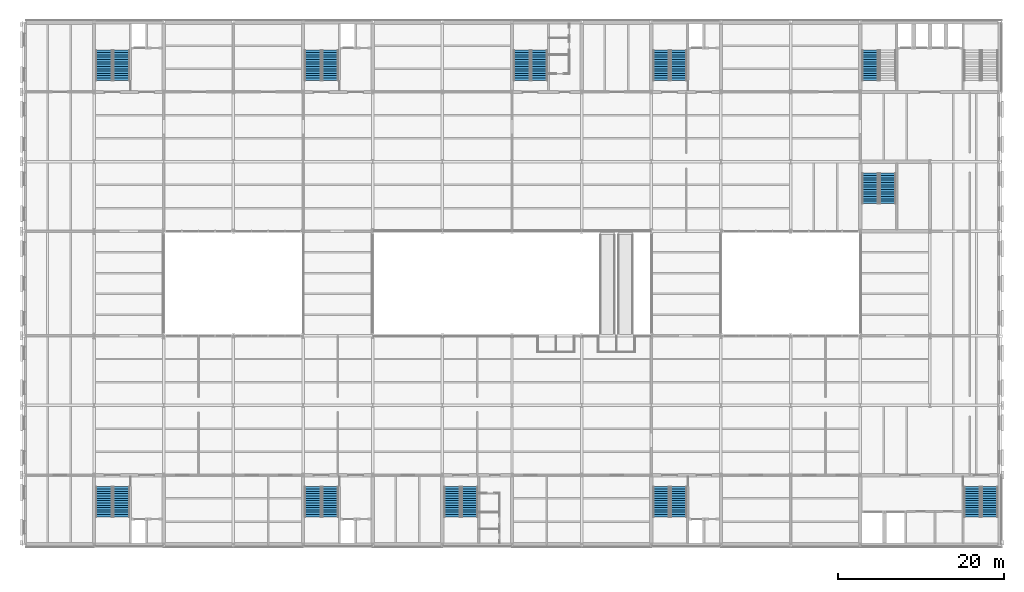
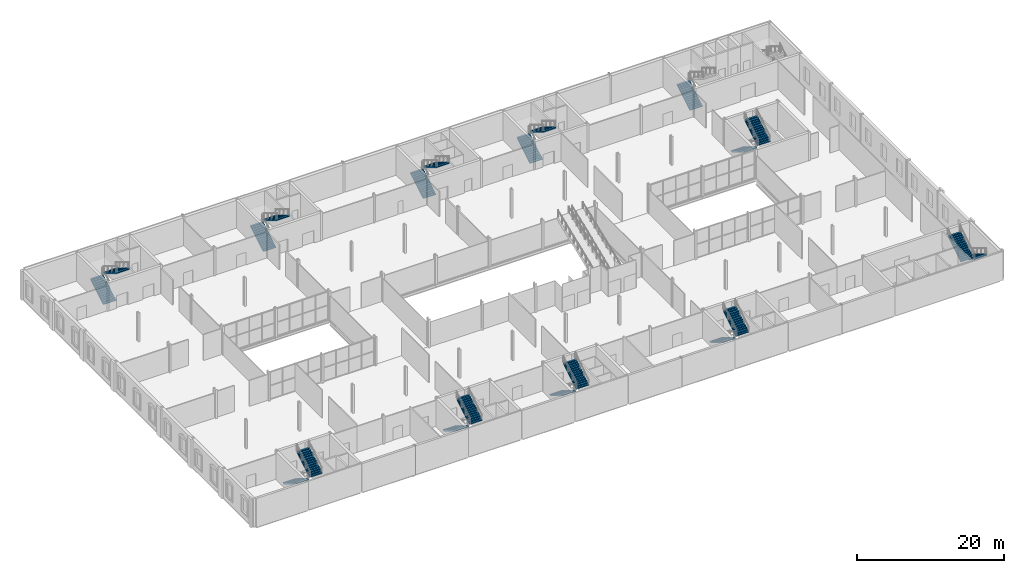
# One storey, part 35 of 57: 21 stair flights, 11 elements without a shape of their own.
"""IFC4 building model written with IfcOpenShell, lengths in metres."""

from ifc_helpers import new_model, si_unit, direction, frame, origin, place, context, subcontext, project, spatial, polyline, outline, extrude, material, type_object, element, aggregate, save


model = new_model("IFC4")

# Units and contexts
model_context = context("Model", 3, precision=1e-05, world=origin(), true_north=direction((0.0, 1.0)))
body_context = subcontext(model_context, "Body", "Model", "MODEL_VIEW")
ifc_project = project(units=[si_unit("LENGTHUNIT", "METRE"), si_unit("AREAUNIT", "SQUARE_METRE"), si_unit("VOLUMEUNIT", "CUBIC_METRE"), si_unit("PLANEANGLEUNIT", "RADIAN"), si_unit("MASSUNIT", "GRAM", prefix="KILO")], contexts=[model_context])

# Site, building, storey
site_placement = place(None, origin())
site = spatial("IfcSite", under=ifc_project, at=site_placement, CompositionType="ELEMENT")
building_placement = place(site_placement, origin())
building = spatial("IfcBuilding", under=site, at=building_placement, Name="Galleria Vessillo Department Store", CompositionType="ELEMENT")
storey_placement = place(building_placement, frame((0.0, 0.0, 21.0)))
storey = spatial("IfcBuildingStorey", under=building, at=storey_placement, Name="L04", CompositionType="ELEMENT", Elevation=21.0)

# Stair, stair flights
ifc_material_1 = material(Name="Concrete C32/40", Category="concrete")
stair_type = type_object("IfcStairType", Name="Half-turn escape stair 2000 mm, 28 risers of 171 mm", PredefinedType="HALF_TURN_STAIR", material=ifc_material_1)
stair_1_placement = place(storey_placement, origin())
stair_1 = element("IfcStair", 1, at=stair_1_placement, inside=storey, type_object=stair_type, Name="Stair ST1 L04", PredefinedType="HALF_TURN_STAIR")
ifc_material_2 = material(Name="Concrete C32/40", Category="concrete")
stair_flight_type = type_object("IfcStairFlightType", Name="Stair flight 2000 mm, 14 risers of 171 mm", PredefinedType="STRAIGHT", material=ifc_material_2)
stair_flight_1_placement = place(storey_placement, frame((9.60009765625, 7.00048828125, 0.0), z_axis=(0.0, 0.0, 1.0), x_axis=(0.0, -1.0, 0.0)))
stair_flight_1 = element("IfcStairFlight", 2, at=stair_flight_1_placement, type_object=stair_flight_type, Name="ST1 flight 1", NumberOfRisers=14, NumberOfTreads=13, PredefinedType="STRAIGHT", RiserHeight=0.171428571, TreadLength=0.28, context=body_context, shape_type="SweptSolid", body=[
    extrude(outline(polyline([(0.0, 0.0), (0.0, 0.17138671875), (0.280029296875, 0.17138671875), (0.280029296875, 0.3427734375), (0.56005859375, 0.3427734375), (0.56005859375, 0.514404296875), (0.840087890625, 0.514404296875), (0.840087890625, 0.685791015625), (1.1201171875, 0.685791015625), (1.1201171875, 0.857177734375), (1.39990234375, 0.857177734375), (1.39990234375, 1.028564453125), (1.679931640625, 1.028564453125), (1.679931640625, 1.199951171875), (1.9599609375, 1.199951171875), (1.9599609375, 1.371337890625), (2.239990234375, 1.371337890625), (2.239990234375, 1.54296875), (2.52001953125, 1.54296875), (2.52001953125, 1.71435546875), (2.800048828125, 1.71435546875), (2.800048828125, 1.8857421875), (3.080078125, 1.8857421875), (3.080078125, 2.05712890625), (3.360107421875, 2.05712890625), (3.360107421875, 2.228515625), (3.639892578125, 2.228515625), (3.639892578125, 2.39990234375), (3.639892578125, 2.052734375), (0.287109375, 0.0), (0.0, 0.0)])), frame((0.0, 1.0, 0.0), z_axis=(0.0, -1.0, 0.0), x_axis=(1.0, 0.0, 0.0)), (0.0, 0.0, 1.0), 2.0),
])
stair_flight_2_placement = place(storey_placement, frame((11.699951171875, 3.360595703125, 2.39990234375), z_axis=(0.0, 0.0, 1.0), x_axis=(0.0, 1.0, 0.0)))
stair_flight_2 = element("IfcStairFlight", 3, at=stair_flight_2_placement, type_object=stair_flight_type, Name="ST1 flight 2", NumberOfRisers=14, NumberOfTreads=13, PredefinedType="STRAIGHT", RiserHeight=0.171428571, TreadLength=0.28, context=body_context, shape_type="SweptSolid", body=[
    extrude(outline(polyline([(0.0, 0.0), (0.0, 0.17138671875), (0.280029296875, 0.17138671875), (0.280029296875, 0.3427734375), (0.56005859375, 0.3427734375), (0.56005859375, 0.514404296875), (0.840087890625, 0.514404296875), (0.840087890625, 0.685791015625), (1.1201171875, 0.685791015625), (1.1201171875, 0.857177734375), (1.39990234375, 0.857177734375), (1.39990234375, 1.028564453125), (1.679931640625, 1.028564453125), (1.679931640625, 1.199951171875), (1.9599609375, 1.199951171875), (1.9599609375, 1.371337890625), (2.239990234375, 1.371337890625), (2.239990234375, 1.54296875), (2.52001953125, 1.54296875), (2.52001953125, 1.71435546875), (2.800048828125, 1.71435546875), (2.800048828125, 1.8857421875), (3.080078125, 1.8857421875), (3.080078125, 2.05712890625), (3.360107421875, 2.05712890625), (3.360107421875, 2.228515625), (3.639892578125, 2.228515625), (3.639892578125, 2.39990234375), (3.639892578125, 2.052734375), (0.287109375, 0.0), (0.0, 0.0)])), frame((0.0, 1.0, 0.0), z_axis=(0.0, -1.0, 0.0), x_axis=(1.0, 0.0, 0.0)), (0.0, 0.0, 1.0), 2.0),
])
aggregate(stair_1, [stair_flight_1, stair_flight_2])

stair_2_placement = place(storey_placement, origin())
stair_2 = element("IfcStair", 4, at=stair_2_placement, inside=storey, type_object=stair_type, Name="Stair ST2 L04", PredefinedType="HALF_TURN_STAIR")
stair_flight_3_placement = place(storey_placement, frame((9.60009765625, 55.99951171875, 0.0), z_axis=(0.0, 0.0, 1.0), x_axis=(0.0, 1.0, 0.0)))
stair_flight_3 = element("IfcStairFlight", 5, at=stair_flight_3_placement, type_object=stair_flight_type, Name="ST2 flight 1", NumberOfRisers=14, NumberOfTreads=13, PredefinedType="STRAIGHT", RiserHeight=0.171428571, TreadLength=0.28, context=body_context, shape_type="SweptSolid", body=[
    extrude(outline(polyline([(0.0, 0.0), (0.0, 0.17138671875), (0.280029296875, 0.17138671875), (0.280029296875, 0.3427734375), (0.56005859375, 0.3427734375), (0.56005859375, 0.514404296875), (0.840087890625, 0.514404296875), (0.840087890625, 0.685791015625), (1.1201171875, 0.685791015625), (1.1201171875, 0.857177734375), (1.39990234375, 0.857177734375), (1.39990234375, 1.028564453125), (1.679931640625, 1.028564453125), (1.679931640625, 1.199951171875), (1.9599609375, 1.199951171875), (1.9599609375, 1.371337890625), (2.239990234375, 1.371337890625), (2.239990234375, 1.54296875), (2.52001953125, 1.54296875), (2.52001953125, 1.71435546875), (2.800048828125, 1.71435546875), (2.800048828125, 1.8857421875), (3.080078125, 1.8857421875), (3.080078125, 2.05712890625), (3.360107421875, 2.05712890625), (3.360107421875, 2.228515625), (3.639892578125, 2.228515625), (3.639892578125, 2.39990234375), (3.639892578125, 2.052734375), (0.287109375, 0.0), (0.0, 0.0)])), frame((0.0, 1.0, 0.0), z_axis=(0.0, -1.0, 0.0), x_axis=(1.0, 0.0, 0.0)), (0.0, 0.0, 1.0), 2.0),
])
stair_flight_4_placement = place(storey_placement, frame((11.699951171875, 59.639404296875, 2.39990234375), z_axis=(0.0, 0.0, 1.0), x_axis=(0.0, -1.0, 0.0)))
stair_flight_4 = element("IfcStairFlight", 6, at=stair_flight_4_placement, type_object=stair_flight_type, Name="ST2 flight 2", NumberOfRisers=14, NumberOfTreads=13, PredefinedType="STRAIGHT", RiserHeight=0.171428571, TreadLength=0.28, context=body_context, shape_type="SweptSolid", body=[
    extrude(outline(polyline([(0.0, 0.0), (0.0, 0.17138671875), (0.280029296875, 0.17138671875), (0.280029296875, 0.3427734375), (0.56005859375, 0.3427734375), (0.56005859375, 0.514404296875), (0.840087890625, 0.514404296875), (0.840087890625, 0.685791015625), (1.1201171875, 0.685791015625), (1.1201171875, 0.857177734375), (1.39990234375, 0.857177734375), (1.39990234375, 1.028564453125), (1.679931640625, 1.028564453125), (1.679931640625, 1.199951171875), (1.9599609375, 1.199951171875), (1.9599609375, 1.371337890625), (2.239990234375, 1.371337890625), (2.239990234375, 1.54296875), (2.52001953125, 1.54296875), (2.52001953125, 1.71435546875), (2.800048828125, 1.71435546875), (2.800048828125, 1.8857421875), (3.080078125, 1.8857421875), (3.080078125, 2.05712890625), (3.360107421875, 2.05712890625), (3.360107421875, 2.228515625), (3.639892578125, 2.228515625), (3.639892578125, 2.39990234375), (3.639892578125, 2.052734375), (0.287109375, 0.0), (0.0, 0.0)])), frame((0.0, 1.0, 0.0), z_axis=(0.0, -1.0, 0.0), x_axis=(1.0, 0.0, 0.0)), (0.0, 0.0, 1.0), 2.0),
])
aggregate(stair_2, [stair_flight_3, stair_flight_4])

stair_3_placement = place(storey_placement, origin())
stair_3 = element("IfcStair", 7, at=stair_3_placement, inside=storey, type_object=stair_type, Name="Stair ST3 L04", PredefinedType="HALF_TURN_STAIR")
stair_flight_5_placement = place(storey_placement, frame((34.800048828125, 7.00048828125, 0.0), z_axis=(0.0, 0.0, 1.0), x_axis=(0.0, -1.0, 0.0)))
stair_flight_5 = element("IfcStairFlight", 8, at=stair_flight_5_placement, type_object=stair_flight_type, Name="ST3 flight 1", NumberOfRisers=14, NumberOfTreads=13, PredefinedType="STRAIGHT", RiserHeight=0.171428571, TreadLength=0.28, context=body_context, shape_type="SweptSolid", body=[
    extrude(outline(polyline([(0.0, 0.0), (0.0, 0.17138671875), (0.280029296875, 0.17138671875), (0.280029296875, 0.3427734375), (0.56005859375, 0.3427734375), (0.56005859375, 0.514404296875), (0.840087890625, 0.514404296875), (0.840087890625, 0.685791015625), (1.1201171875, 0.685791015625), (1.1201171875, 0.857177734375), (1.39990234375, 0.857177734375), (1.39990234375, 1.028564453125), (1.679931640625, 1.028564453125), (1.679931640625, 1.199951171875), (1.9599609375, 1.199951171875), (1.9599609375, 1.371337890625), (2.239990234375, 1.371337890625), (2.239990234375, 1.54296875), (2.52001953125, 1.54296875), (2.52001953125, 1.71435546875), (2.800048828125, 1.71435546875), (2.800048828125, 1.8857421875), (3.080078125, 1.8857421875), (3.080078125, 2.05712890625), (3.360107421875, 2.05712890625), (3.360107421875, 2.228515625), (3.639892578125, 2.228515625), (3.639892578125, 2.39990234375), (3.639892578125, 2.052734375), (0.287109375, 0.0), (0.0, 0.0)])), frame((0.0, 1.0, 0.0), z_axis=(0.0, -1.0, 0.0), x_axis=(1.0, 0.0, 0.0)), (0.0, 0.0, 1.0), 2.0),
])
stair_flight_6_placement = place(storey_placement, frame((36.89990234375, 3.360595703125, 2.39990234375), z_axis=(0.0, 0.0, 1.0), x_axis=(0.0, 1.0, 0.0)))
stair_flight_6 = element("IfcStairFlight", 9, at=stair_flight_6_placement, type_object=stair_flight_type, Name="ST3 flight 2", NumberOfRisers=14, NumberOfTreads=13, PredefinedType="STRAIGHT", RiserHeight=0.171428571, TreadLength=0.28, context=body_context, shape_type="SweptSolid", body=[
    extrude(outline(polyline([(0.0, 0.0), (0.0, 0.17138671875), (0.280029296875, 0.17138671875), (0.280029296875, 0.3427734375), (0.56005859375, 0.3427734375), (0.56005859375, 0.514404296875), (0.840087890625, 0.514404296875), (0.840087890625, 0.685791015625), (1.1201171875, 0.685791015625), (1.1201171875, 0.857177734375), (1.39990234375, 0.857177734375), (1.39990234375, 1.028564453125), (1.679931640625, 1.028564453125), (1.679931640625, 1.199951171875), (1.9599609375, 1.199951171875), (1.9599609375, 1.371337890625), (2.239990234375, 1.371337890625), (2.239990234375, 1.54296875), (2.52001953125, 1.54296875), (2.52001953125, 1.71435546875), (2.800048828125, 1.71435546875), (2.800048828125, 1.8857421875), (3.080078125, 1.8857421875), (3.080078125, 2.05712890625), (3.360107421875, 2.05712890625), (3.360107421875, 2.228515625), (3.639892578125, 2.228515625), (3.639892578125, 2.39990234375), (3.639892578125, 2.052734375), (0.287109375, 0.0), (0.0, 0.0)])), frame((0.0, 1.0, 0.0), z_axis=(0.0, -1.0, 0.0), x_axis=(1.0, 0.0, 0.0)), (0.0, 0.0, 1.0), 2.0),
])
aggregate(stair_3, [stair_flight_5, stair_flight_6])

stair_4_placement = place(storey_placement, origin())
stair_4 = element("IfcStair", 10, at=stair_4_placement, inside=storey, type_object=stair_type, Name="Stair ST4 L04", PredefinedType="HALF_TURN_STAIR")
stair_flight_7_placement = place(storey_placement, frame((34.800048828125, 55.99951171875, 0.0), z_axis=(0.0, 0.0, 1.0), x_axis=(0.0, 1.0, 0.0)))
stair_flight_7 = element("IfcStairFlight", 11, at=stair_flight_7_placement, type_object=stair_flight_type, Name="ST4 flight 1", NumberOfRisers=14, NumberOfTreads=13, PredefinedType="STRAIGHT", RiserHeight=0.171428571, TreadLength=0.28, context=body_context, shape_type="SweptSolid", body=[
    extrude(outline(polyline([(0.0, 0.0), (0.0, 0.17138671875), (0.280029296875, 0.17138671875), (0.280029296875, 0.3427734375), (0.56005859375, 0.3427734375), (0.56005859375, 0.514404296875), (0.840087890625, 0.514404296875), (0.840087890625, 0.685791015625), (1.1201171875, 0.685791015625), (1.1201171875, 0.857177734375), (1.39990234375, 0.857177734375), (1.39990234375, 1.028564453125), (1.679931640625, 1.028564453125), (1.679931640625, 1.199951171875), (1.9599609375, 1.199951171875), (1.9599609375, 1.371337890625), (2.239990234375, 1.371337890625), (2.239990234375, 1.54296875), (2.52001953125, 1.54296875), (2.52001953125, 1.71435546875), (2.800048828125, 1.71435546875), (2.800048828125, 1.8857421875), (3.080078125, 1.8857421875), (3.080078125, 2.05712890625), (3.360107421875, 2.05712890625), (3.360107421875, 2.228515625), (3.639892578125, 2.228515625), (3.639892578125, 2.39990234375), (3.639892578125, 2.052734375), (0.287109375, 0.0), (0.0, 0.0)])), frame((0.0, 1.0, 0.0), z_axis=(0.0, -1.0, 0.0), x_axis=(1.0, 0.0, 0.0)), (0.0, 0.0, 1.0), 2.0),
])
stair_flight_8_placement = place(storey_placement, frame((36.89990234375, 59.639404296875, 2.39990234375), z_axis=(0.0, 0.0, 1.0), x_axis=(0.0, -1.0, 0.0)))
stair_flight_8 = element("IfcStairFlight", 12, at=stair_flight_8_placement, type_object=stair_flight_type, Name="ST4 flight 2", NumberOfRisers=14, NumberOfTreads=13, PredefinedType="STRAIGHT", RiserHeight=0.171428571, TreadLength=0.28, context=body_context, shape_type="SweptSolid", body=[
    extrude(outline(polyline([(0.0, 0.0), (0.0, 0.17138671875), (0.280029296875, 0.17138671875), (0.280029296875, 0.3427734375), (0.56005859375, 0.3427734375), (0.56005859375, 0.514404296875), (0.840087890625, 0.514404296875), (0.840087890625, 0.685791015625), (1.1201171875, 0.685791015625), (1.1201171875, 0.857177734375), (1.39990234375, 0.857177734375), (1.39990234375, 1.028564453125), (1.679931640625, 1.028564453125), (1.679931640625, 1.199951171875), (1.9599609375, 1.199951171875), (1.9599609375, 1.371337890625), (2.239990234375, 1.371337890625), (2.239990234375, 1.54296875), (2.52001953125, 1.54296875), (2.52001953125, 1.71435546875), (2.800048828125, 1.71435546875), (2.800048828125, 1.8857421875), (3.080078125, 1.8857421875), (3.080078125, 2.05712890625), (3.360107421875, 2.05712890625), (3.360107421875, 2.228515625), (3.639892578125, 2.228515625), (3.639892578125, 2.39990234375), (3.639892578125, 2.052734375), (0.287109375, 0.0), (0.0, 0.0)])), frame((0.0, 1.0, 0.0), z_axis=(0.0, -1.0, 0.0), x_axis=(1.0, 0.0, 0.0)), (0.0, 0.0, 1.0), 2.0),
])
aggregate(stair_4, [stair_flight_7, stair_flight_8])

stair_5_placement = place(storey_placement, origin())
stair_5 = element("IfcStair", 13, at=stair_5_placement, inside=storey, type_object=stair_type, Name="Stair ST5 L04", PredefinedType="HALF_TURN_STAIR")
stair_flight_9_placement = place(storey_placement, frame((76.800048828125, 7.00048828125, 0.0), z_axis=(0.0, 0.0, 1.0), x_axis=(0.0, -1.0, 0.0)))
stair_flight_9 = element("IfcStairFlight", 14, at=stair_flight_9_placement, type_object=stair_flight_type, Name="ST5 flight 1", NumberOfRisers=14, NumberOfTreads=13, PredefinedType="STRAIGHT", RiserHeight=0.171428571, TreadLength=0.28, context=body_context, shape_type="SweptSolid", body=[
    extrude(outline(polyline([(0.0, 0.0), (0.0, 0.17138671875), (0.280029296875, 0.17138671875), (0.280029296875, 0.3427734375), (0.56005859375, 0.3427734375), (0.56005859375, 0.514404296875), (0.840087890625, 0.514404296875), (0.840087890625, 0.685791015625), (1.1201171875, 0.685791015625), (1.1201171875, 0.857177734375), (1.39990234375, 0.857177734375), (1.39990234375, 1.028564453125), (1.679931640625, 1.028564453125), (1.679931640625, 1.199951171875), (1.9599609375, 1.199951171875), (1.9599609375, 1.371337890625), (2.239990234375, 1.371337890625), (2.239990234375, 1.54296875), (2.52001953125, 1.54296875), (2.52001953125, 1.71435546875), (2.800048828125, 1.71435546875), (2.800048828125, 1.8857421875), (3.080078125, 1.8857421875), (3.080078125, 2.05712890625), (3.360107421875, 2.05712890625), (3.360107421875, 2.228515625), (3.639892578125, 2.228515625), (3.639892578125, 2.39990234375), (3.639892578125, 2.052734375), (0.287109375, 0.0), (0.0, 0.0)])), frame((0.0, 1.0, 0.0), z_axis=(0.0, -1.0, 0.0), x_axis=(1.0, 0.0, 0.0)), (0.0, 0.0, 1.0), 2.0),
])
stair_flight_10_placement = place(storey_placement, frame((78.89990234375, 3.360595703125, 2.39990234375), z_axis=(0.0, 0.0, 1.0), x_axis=(0.0, 1.0, 0.0)))
stair_flight_10 = element("IfcStairFlight", 15, at=stair_flight_10_placement, type_object=stair_flight_type, Name="ST5 flight 2", NumberOfRisers=14, NumberOfTreads=13, PredefinedType="STRAIGHT", RiserHeight=0.171428571, TreadLength=0.28, context=body_context, shape_type="SweptSolid", body=[
    extrude(outline(polyline([(0.0, 0.0), (0.0, 0.17138671875), (0.280029296875, 0.17138671875), (0.280029296875, 0.3427734375), (0.56005859375, 0.3427734375), (0.56005859375, 0.514404296875), (0.840087890625, 0.514404296875), (0.840087890625, 0.685791015625), (1.1201171875, 0.685791015625), (1.1201171875, 0.857177734375), (1.39990234375, 0.857177734375), (1.39990234375, 1.028564453125), (1.679931640625, 1.028564453125), (1.679931640625, 1.199951171875), (1.9599609375, 1.199951171875), (1.9599609375, 1.371337890625), (2.239990234375, 1.371337890625), (2.239990234375, 1.54296875), (2.52001953125, 1.54296875), (2.52001953125, 1.71435546875), (2.800048828125, 1.71435546875), (2.800048828125, 1.8857421875), (3.080078125, 1.8857421875), (3.080078125, 2.05712890625), (3.360107421875, 2.05712890625), (3.360107421875, 2.228515625), (3.639892578125, 2.228515625), (3.639892578125, 2.39990234375), (3.639892578125, 2.052734375), (0.287109375, 0.0), (0.0, 0.0)])), frame((0.0, 1.0, 0.0), z_axis=(0.0, -1.0, 0.0), x_axis=(1.0, 0.0, 0.0)), (0.0, 0.0, 1.0), 2.0),
])
aggregate(stair_5, [stair_flight_9, stair_flight_10])

stair_6_placement = place(storey_placement, origin())
stair_6 = element("IfcStair", 16, at=stair_6_placement, inside=storey, type_object=stair_type, Name="Stair ST6 L04", PredefinedType="HALF_TURN_STAIR")
stair_flight_11_placement = place(storey_placement, frame((76.800048828125, 55.99951171875, 0.0), z_axis=(0.0, 0.0, 1.0), x_axis=(0.0, 1.0, 0.0)))
stair_flight_11 = element("IfcStairFlight", 17, at=stair_flight_11_placement, type_object=stair_flight_type, Name="ST6 flight 1", NumberOfRisers=14, NumberOfTreads=13, PredefinedType="STRAIGHT", RiserHeight=0.171428571, TreadLength=0.28, context=body_context, shape_type="SweptSolid", body=[
    extrude(outline(polyline([(0.0, 0.0), (0.0, 0.17138671875), (0.280029296875, 0.17138671875), (0.280029296875, 0.3427734375), (0.56005859375, 0.3427734375), (0.56005859375, 0.514404296875), (0.840087890625, 0.514404296875), (0.840087890625, 0.685791015625), (1.1201171875, 0.685791015625), (1.1201171875, 0.857177734375), (1.39990234375, 0.857177734375), (1.39990234375, 1.028564453125), (1.679931640625, 1.028564453125), (1.679931640625, 1.199951171875), (1.9599609375, 1.199951171875), (1.9599609375, 1.371337890625), (2.239990234375, 1.371337890625), (2.239990234375, 1.54296875), (2.52001953125, 1.54296875), (2.52001953125, 1.71435546875), (2.800048828125, 1.71435546875), (2.800048828125, 1.8857421875), (3.080078125, 1.8857421875), (3.080078125, 2.05712890625), (3.360107421875, 2.05712890625), (3.360107421875, 2.228515625), (3.639892578125, 2.228515625), (3.639892578125, 2.39990234375), (3.639892578125, 2.052734375), (0.287109375, 0.0), (0.0, 0.0)])), frame((0.0, 1.0, 0.0), z_axis=(0.0, -1.0, 0.0), x_axis=(1.0, 0.0, 0.0)), (0.0, 0.0, 1.0), 2.0),
])
stair_flight_12_placement = place(storey_placement, frame((78.89990234375, 59.639404296875, 2.39990234375), z_axis=(0.0, 0.0, 1.0), x_axis=(0.0, -1.0, 0.0)))
stair_flight_12 = element("IfcStairFlight", 18, at=stair_flight_12_placement, type_object=stair_flight_type, Name="ST6 flight 2", NumberOfRisers=14, NumberOfTreads=13, PredefinedType="STRAIGHT", RiserHeight=0.171428571, TreadLength=0.28, context=body_context, shape_type="SweptSolid", body=[
    extrude(outline(polyline([(0.0, 0.0), (0.0, 0.17138671875), (0.280029296875, 0.17138671875), (0.280029296875, 0.3427734375), (0.56005859375, 0.3427734375), (0.56005859375, 0.514404296875), (0.840087890625, 0.514404296875), (0.840087890625, 0.685791015625), (1.1201171875, 0.685791015625), (1.1201171875, 0.857177734375), (1.39990234375, 0.857177734375), (1.39990234375, 1.028564453125), (1.679931640625, 1.028564453125), (1.679931640625, 1.199951171875), (1.9599609375, 1.199951171875), (1.9599609375, 1.371337890625), (2.239990234375, 1.371337890625), (2.239990234375, 1.54296875), (2.52001953125, 1.54296875), (2.52001953125, 1.71435546875), (2.800048828125, 1.71435546875), (2.800048828125, 1.8857421875), (3.080078125, 1.8857421875), (3.080078125, 2.05712890625), (3.360107421875, 2.05712890625), (3.360107421875, 2.228515625), (3.639892578125, 2.228515625), (3.639892578125, 2.39990234375), (3.639892578125, 2.052734375), (0.287109375, 0.0), (0.0, 0.0)])), frame((0.0, 1.0, 0.0), z_axis=(0.0, -1.0, 0.0), x_axis=(1.0, 0.0, 0.0)), (0.0, 0.0, 1.0), 2.0),
])
aggregate(stair_6, [stair_flight_11, stair_flight_12])

stair_7_placement = place(storey_placement, origin())
stair_7 = element("IfcStair", 19, at=stair_7_placement, inside=storey, type_object=stair_type, Name="Stair ST10 L04", PredefinedType="HALF_TURN_STAIR")
stair_flight_13_placement = place(storey_placement, frame((51.60009765625, 7.00048828125, 0.0), z_axis=(0.0, 0.0, 1.0), x_axis=(0.0, -1.0, 0.0)))
stair_flight_13 = element("IfcStairFlight", 20, at=stair_flight_13_placement, type_object=stair_flight_type, Name="ST10 flight 1", NumberOfRisers=14, NumberOfTreads=13, PredefinedType="STRAIGHT", RiserHeight=0.171428571, TreadLength=0.28, context=body_context, shape_type="SweptSolid", body=[
    extrude(outline(polyline([(0.0, 0.0), (0.0, 0.17138671875), (0.280029296875, 0.17138671875), (0.280029296875, 0.3427734375), (0.56005859375, 0.3427734375), (0.56005859375, 0.514404296875), (0.840087890625, 0.514404296875), (0.840087890625, 0.685791015625), (1.1201171875, 0.685791015625), (1.1201171875, 0.857177734375), (1.39990234375, 0.857177734375), (1.39990234375, 1.028564453125), (1.679931640625, 1.028564453125), (1.679931640625, 1.199951171875), (1.9599609375, 1.199951171875), (1.9599609375, 1.371337890625), (2.239990234375, 1.371337890625), (2.239990234375, 1.54296875), (2.52001953125, 1.54296875), (2.52001953125, 1.71435546875), (2.800048828125, 1.71435546875), (2.800048828125, 1.8857421875), (3.080078125, 1.8857421875), (3.080078125, 2.05712890625), (3.360107421875, 2.05712890625), (3.360107421875, 2.228515625), (3.639892578125, 2.228515625), (3.639892578125, 2.39990234375), (3.639892578125, 2.052734375), (0.287109375, 0.0), (0.0, 0.0)])), frame((0.0, 1.0, 0.0), z_axis=(0.0, -1.0, 0.0), x_axis=(1.0, 0.0, 0.0)), (0.0, 0.0, 1.0), 2.0),
])
stair_flight_14_placement = place(storey_placement, frame((53.699951171875, 3.360595703125, 2.39990234375), z_axis=(0.0, 0.0, 1.0), x_axis=(0.0, 1.0, 0.0)))
stair_flight_14 = element("IfcStairFlight", 21, at=stair_flight_14_placement, type_object=stair_flight_type, Name="ST10 flight 2", NumberOfRisers=14, NumberOfTreads=13, PredefinedType="STRAIGHT", RiserHeight=0.171428571, TreadLength=0.28, context=body_context, shape_type="SweptSolid", body=[
    extrude(outline(polyline([(0.0, 0.0), (0.0, 0.17138671875), (0.280029296875, 0.17138671875), (0.280029296875, 0.3427734375), (0.56005859375, 0.3427734375), (0.56005859375, 0.514404296875), (0.840087890625, 0.514404296875), (0.840087890625, 0.685791015625), (1.1201171875, 0.685791015625), (1.1201171875, 0.857177734375), (1.39990234375, 0.857177734375), (1.39990234375, 1.028564453125), (1.679931640625, 1.028564453125), (1.679931640625, 1.199951171875), (1.9599609375, 1.199951171875), (1.9599609375, 1.371337890625), (2.239990234375, 1.371337890625), (2.239990234375, 1.54296875), (2.52001953125, 1.54296875), (2.52001953125, 1.71435546875), (2.800048828125, 1.71435546875), (2.800048828125, 1.8857421875), (3.080078125, 1.8857421875), (3.080078125, 2.05712890625), (3.360107421875, 2.05712890625), (3.360107421875, 2.228515625), (3.639892578125, 2.228515625), (3.639892578125, 2.39990234375), (3.639892578125, 2.052734375), (0.287109375, 0.0), (0.0, 0.0)])), frame((0.0, 1.0, 0.0), z_axis=(0.0, -1.0, 0.0), x_axis=(1.0, 0.0, 0.0)), (0.0, 0.0, 1.0), 2.0),
])
aggregate(stair_7, [stair_flight_13, stair_flight_14])

stair_8_placement = place(storey_placement, origin())
stair_8 = element("IfcStair", 22, at=stair_8_placement, inside=storey, type_object=stair_type, Name="Stair ST11 L04", PredefinedType="HALF_TURN_STAIR")
stair_flight_15_placement = place(storey_placement, frame((60.0, 55.99951171875, 0.0), z_axis=(0.0, 0.0, 1.0), x_axis=(0.0, 1.0, 0.0)))
stair_flight_15 = element("IfcStairFlight", 23, at=stair_flight_15_placement, type_object=stair_flight_type, Name="ST11 flight 1", NumberOfRisers=14, NumberOfTreads=13, PredefinedType="STRAIGHT", RiserHeight=0.171428571, TreadLength=0.28, context=body_context, shape_type="SweptSolid", body=[
    extrude(outline(polyline([(0.0, 0.0), (0.0, 0.17138671875), (0.280029296875, 0.17138671875), (0.280029296875, 0.3427734375), (0.56005859375, 0.3427734375), (0.56005859375, 0.514404296875), (0.840087890625, 0.514404296875), (0.840087890625, 0.685791015625), (1.1201171875, 0.685791015625), (1.1201171875, 0.857177734375), (1.39990234375, 0.857177734375), (1.39990234375, 1.028564453125), (1.679931640625, 1.028564453125), (1.679931640625, 1.199951171875), (1.9599609375, 1.199951171875), (1.9599609375, 1.371337890625), (2.239990234375, 1.371337890625), (2.239990234375, 1.54296875), (2.52001953125, 1.54296875), (2.52001953125, 1.71435546875), (2.800048828125, 1.71435546875), (2.800048828125, 1.8857421875), (3.080078125, 1.8857421875), (3.080078125, 2.05712890625), (3.360107421875, 2.05712890625), (3.360107421875, 2.228515625), (3.639892578125, 2.228515625), (3.639892578125, 2.39990234375), (3.639892578125, 2.052734375), (0.287109375, 0.0), (0.0, 0.0)])), frame((0.0, 1.0, 0.0), z_axis=(0.0, -1.0, 0.0), x_axis=(1.0, 0.0, 0.0)), (0.0, 0.0, 1.0), 2.0),
])
stair_flight_16_placement = place(storey_placement, frame((62.10009765625, 59.639404296875, 2.39990234375), z_axis=(0.0, 0.0, 1.0), x_axis=(0.0, -1.0, 0.0)))
stair_flight_16 = element("IfcStairFlight", 24, at=stair_flight_16_placement, type_object=stair_flight_type, Name="ST11 flight 2", NumberOfRisers=14, NumberOfTreads=13, PredefinedType="STRAIGHT", RiserHeight=0.171428571, TreadLength=0.28, context=body_context, shape_type="SweptSolid", body=[
    extrude(outline(polyline([(0.0, 0.0), (0.0, 0.17138671875), (0.280029296875, 0.17138671875), (0.280029296875, 0.3427734375), (0.56005859375, 0.3427734375), (0.56005859375, 0.514404296875), (0.840087890625, 0.514404296875), (0.840087890625, 0.685791015625), (1.1201171875, 0.685791015625), (1.1201171875, 0.857177734375), (1.39990234375, 0.857177734375), (1.39990234375, 1.028564453125), (1.679931640625, 1.028564453125), (1.679931640625, 1.199951171875), (1.9599609375, 1.199951171875), (1.9599609375, 1.371337890625), (2.239990234375, 1.371337890625), (2.239990234375, 1.54296875), (2.52001953125, 1.54296875), (2.52001953125, 1.71435546875), (2.800048828125, 1.71435546875), (2.800048828125, 1.8857421875), (3.080078125, 1.8857421875), (3.080078125, 2.05712890625), (3.360107421875, 2.05712890625), (3.360107421875, 2.228515625), (3.639892578125, 2.228515625), (3.639892578125, 2.39990234375), (3.639892578125, 2.052734375), (0.287109375, 0.0), (0.0, 0.0)])), frame((0.0, 1.0, 0.0), z_axis=(0.0, -1.0, 0.0), x_axis=(1.0, 0.0, 0.0)), (0.0, 0.0, 1.0), 2.0),
])
aggregate(stair_8, [stair_flight_15, stair_flight_16])

stair_9_placement = place(storey_placement, origin())
stair_9 = element("IfcStair", 25, at=stair_9_placement, inside=storey, type_object=stair_type, Name="Stair ST7 L04", PredefinedType="HALF_TURN_STAIR")
stair_flight_17_placement = place(storey_placement, frame((116.39990234375, 7.00048828125, 0.0), z_axis=(0.0, 0.0, 1.0), x_axis=(0.0, -1.0, 0.0)))
stair_flight_17 = element("IfcStairFlight", 26, at=stair_flight_17_placement, type_object=stair_flight_type, Name="ST7 flight 1", NumberOfRisers=14, NumberOfTreads=13, PredefinedType="STRAIGHT", RiserHeight=0.171428571, TreadLength=0.28, context=body_context, shape_type="SweptSolid", body=[
    extrude(outline(polyline([(0.0, 0.0), (0.0, 0.17138671875), (0.280029296875, 0.17138671875), (0.280029296875, 0.3427734375), (0.56005859375, 0.3427734375), (0.56005859375, 0.514404296875), (0.840087890625, 0.514404296875), (0.840087890625, 0.685791015625), (1.1201171875, 0.685791015625), (1.1201171875, 0.857177734375), (1.39990234375, 0.857177734375), (1.39990234375, 1.028564453125), (1.679931640625, 1.028564453125), (1.679931640625, 1.199951171875), (1.9599609375, 1.199951171875), (1.9599609375, 1.371337890625), (2.239990234375, 1.371337890625), (2.239990234375, 1.54296875), (2.52001953125, 1.54296875), (2.52001953125, 1.71435546875), (2.800048828125, 1.71435546875), (2.800048828125, 1.8857421875), (3.080078125, 1.8857421875), (3.080078125, 2.05712890625), (3.360107421875, 2.05712890625), (3.360107421875, 2.228515625), (3.639892578125, 2.228515625), (3.639892578125, 2.39990234375), (3.639892578125, 2.052734375), (0.287109375, 0.0), (0.0, 0.0)])), frame((0.0, 1.0, 0.0), z_axis=(0.0, -1.0, 0.0), x_axis=(1.0, 0.0, 0.0)), (0.0, 0.0, 1.0), 2.0),
])
stair_flight_18_placement = place(storey_placement, frame((114.300048828125, 3.360595703125, 2.39990234375), z_axis=(0.0, 0.0, 1.0), x_axis=(0.0, 1.0, 0.0)))
stair_flight_18 = element("IfcStairFlight", 27, at=stair_flight_18_placement, type_object=stair_flight_type, Name="ST7 flight 2", NumberOfRisers=14, NumberOfTreads=13, PredefinedType="STRAIGHT", RiserHeight=0.171428571, TreadLength=0.28, context=body_context, shape_type="SweptSolid", body=[
    extrude(outline(polyline([(0.0, 0.0), (0.0, 0.17138671875), (0.280029296875, 0.17138671875), (0.280029296875, 0.3427734375), (0.56005859375, 0.3427734375), (0.56005859375, 0.514404296875), (0.840087890625, 0.514404296875), (0.840087890625, 0.685791015625), (1.1201171875, 0.685791015625), (1.1201171875, 0.857177734375), (1.39990234375, 0.857177734375), (1.39990234375, 1.028564453125), (1.679931640625, 1.028564453125), (1.679931640625, 1.199951171875), (1.9599609375, 1.199951171875), (1.9599609375, 1.371337890625), (2.239990234375, 1.371337890625), (2.239990234375, 1.54296875), (2.52001953125, 1.54296875), (2.52001953125, 1.71435546875), (2.800048828125, 1.71435546875), (2.800048828125, 1.8857421875), (3.080078125, 1.8857421875), (3.080078125, 2.05712890625), (3.360107421875, 2.05712890625), (3.360107421875, 2.228515625), (3.639892578125, 2.228515625), (3.639892578125, 2.39990234375), (3.639892578125, 2.052734375), (0.287109375, 0.0), (0.0, 0.0)])), frame((0.0, 1.0, 0.0), z_axis=(0.0, -1.0, 0.0), x_axis=(1.0, 0.0, 0.0)), (0.0, 0.0, 1.0), 2.0),
])
aggregate(stair_9, [stair_flight_17, stair_flight_18])

# Stair, stair flight
stair_10_placement = place(storey_placement, origin())
stair_10 = element("IfcStair", 28, at=stair_10_placement, inside=storey, type_object=stair_type, Name="Stair ST8 L04", PredefinedType="HALF_TURN_STAIR")
stair_flight_19_placement = place(storey_placement, frame((102.0, 55.99951171875, 0.0), z_axis=(0.0, 0.0, 1.0), x_axis=(0.0, 1.0, 0.0)))
stair_flight_19 = element("IfcStairFlight", 29, at=stair_flight_19_placement, type_object=stair_flight_type, Name="ST8 flight 1", NumberOfRisers=14, NumberOfTreads=13, PredefinedType="STRAIGHT", RiserHeight=0.171428571, TreadLength=0.28, context=body_context, shape_type="SweptSolid", body=[
    extrude(outline(polyline([(0.0, 0.0), (0.0, 0.17138671875), (0.280029296875, 0.17138671875), (0.280029296875, 0.3427734375), (0.56005859375, 0.3427734375), (0.56005859375, 0.514404296875), (0.840087890625, 0.514404296875), (0.840087890625, 0.685791015625), (1.1201171875, 0.685791015625), (1.1201171875, 0.857177734375), (1.39990234375, 0.857177734375), (1.39990234375, 1.028564453125), (1.679931640625, 1.028564453125), (1.679931640625, 1.199951171875), (1.9599609375, 1.199951171875), (1.9599609375, 1.371337890625), (2.239990234375, 1.371337890625), (2.239990234375, 1.54296875), (2.52001953125, 1.54296875), (2.52001953125, 1.71435546875), (2.800048828125, 1.71435546875), (2.800048828125, 1.8857421875), (3.080078125, 1.8857421875), (3.080078125, 2.05712890625), (3.360107421875, 2.05712890625), (3.360107421875, 2.228515625), (3.639892578125, 2.228515625), (3.639892578125, 2.39990234375), (3.639892578125, 2.052734375), (0.287109375, 0.0), (0.0, 0.0)])), frame((0.0, 1.0, 0.0), z_axis=(0.0, -1.0, 0.0), x_axis=(1.0, 0.0, 0.0)), (0.0, 0.0, 1.0), 2.0),
])
aggregate(stair_10, [stair_flight_19])

# Stair, stair flights
stair_11_placement = place(storey_placement, origin())
stair_11 = element("IfcStair", 30, at=stair_11_placement, inside=storey, type_object=stair_type, Name="Stair ST12 L04", PredefinedType="HALF_TURN_STAIR")
stair_flight_20_placement = place(storey_placement, frame((102.0, 44.800537109375, 0.0), z_axis=(0.0, 0.0, 1.0), x_axis=(0.0, -1.0, 0.0)))
stair_flight_20 = element("IfcStairFlight", 31, at=stair_flight_20_placement, type_object=stair_flight_type, Name="ST12 flight 1", NumberOfRisers=14, NumberOfTreads=13, PredefinedType="STRAIGHT", RiserHeight=0.171428571, TreadLength=0.28, context=body_context, shape_type="SweptSolid", body=[
    extrude(outline(polyline([(0.0, 0.0), (0.0, 0.17138671875), (0.280029296875, 0.17138671875), (0.280029296875, 0.3427734375), (0.56005859375, 0.3427734375), (0.56005859375, 0.514404296875), (0.840087890625, 0.514404296875), (0.840087890625, 0.685791015625), (1.1201171875, 0.685791015625), (1.1201171875, 0.857177734375), (1.39990234375, 0.857177734375), (1.39990234375, 1.028564453125), (1.679931640625, 1.028564453125), (1.679931640625, 1.199951171875), (1.9599609375, 1.199951171875), (1.9599609375, 1.371337890625), (2.239990234375, 1.371337890625), (2.239990234375, 1.54296875), (2.52001953125, 1.54296875), (2.52001953125, 1.71435546875), (2.800048828125, 1.71435546875), (2.800048828125, 1.8857421875), (3.080078125, 1.8857421875), (3.080078125, 2.05712890625), (3.360107421875, 2.05712890625), (3.360107421875, 2.228515625), (3.639892578125, 2.228515625), (3.639892578125, 2.39990234375), (3.639892578125, 2.052734375), (0.287109375, 0.0), (0.0, 0.0)])), frame((0.0, 1.0, 0.0), z_axis=(0.0, -1.0, 0.0), x_axis=(1.0, 0.0, 0.0)), (0.0, 0.0, 1.0), 2.0),
])
stair_flight_21_placement = place(storey_placement, frame((104.10009765625, 41.160400390625, 2.39990234375), z_axis=(0.0, 0.0, 1.0), x_axis=(0.0, 1.0, 0.0)))
stair_flight_21 = element("IfcStairFlight", 32, at=stair_flight_21_placement, type_object=stair_flight_type, Name="ST12 flight 2", NumberOfRisers=14, NumberOfTreads=13, PredefinedType="STRAIGHT", RiserHeight=0.171428571, TreadLength=0.28, context=body_context, shape_type="SweptSolid", body=[
    extrude(outline(polyline([(0.0, 0.0), (0.0, 0.17138671875), (0.280029296875, 0.17138671875), (0.280029296875, 0.3427734375), (0.56005859375, 0.3427734375), (0.56005859375, 0.514404296875), (0.840087890625, 0.514404296875), (0.840087890625, 0.685791015625), (1.1201171875, 0.685791015625), (1.1201171875, 0.857177734375), (1.39990234375, 0.857177734375), (1.39990234375, 1.028564453125), (1.679931640625, 1.028564453125), (1.679931640625, 1.199951171875), (1.9599609375, 1.199951171875), (1.9599609375, 1.371337890625), (2.239990234375, 1.371337890625), (2.239990234375, 1.54296875), (2.52001953125, 1.54296875), (2.52001953125, 1.71435546875), (2.800048828125, 1.71435546875), (2.800048828125, 1.8857421875), (3.080078125, 1.8857421875), (3.080078125, 2.05712890625), (3.360107421875, 2.05712890625), (3.360107421875, 2.228515625), (3.639892578125, 2.228515625), (3.639892578125, 2.39990234375), (3.639892578125, 2.052734375), (0.287109375, 0.0), (0.0, 0.0)])), frame((0.0, 1.0, 0.0), z_axis=(0.0, -1.0, 0.0), x_axis=(1.0, 0.0, 0.0)), (0.0, 0.0, 1.0), 2.0),
])
aggregate(stair_11, [stair_flight_20, stair_flight_21])

save(model, "model.ifc")
